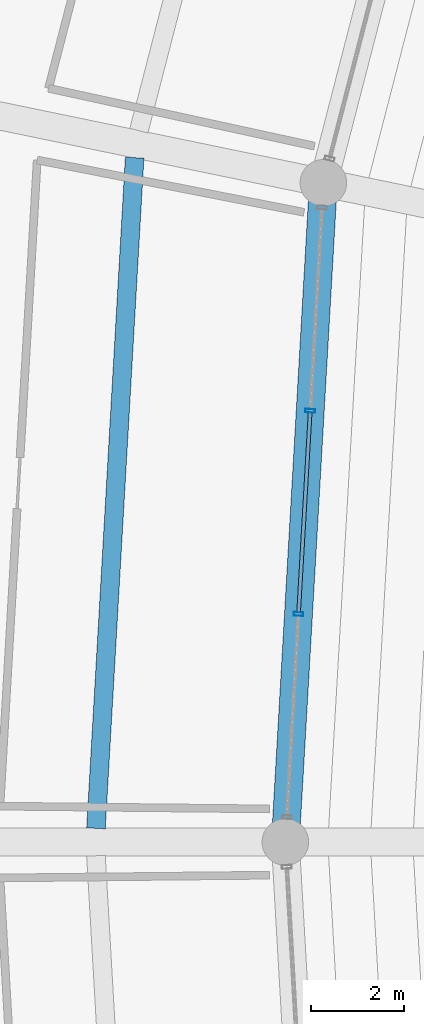
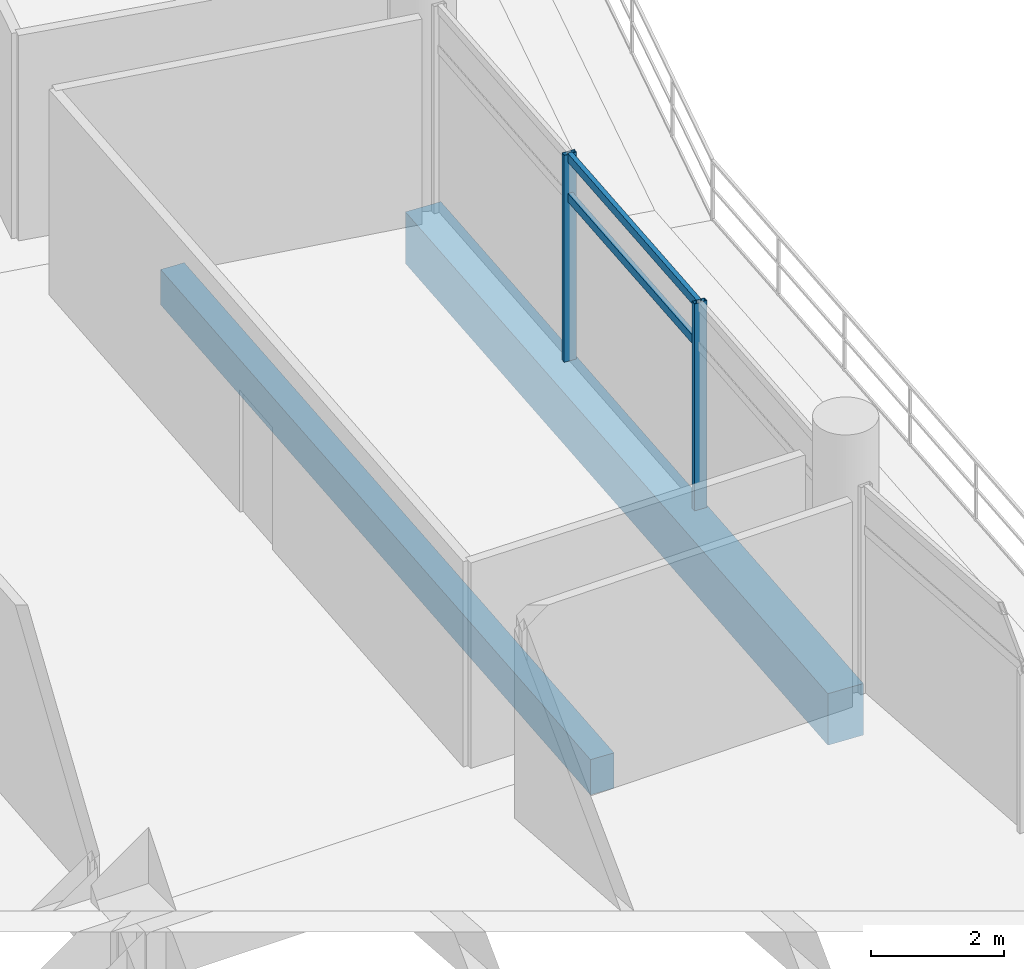
# One storey, part 38 of 171: 4 members, 2 beams, 1 element without a shape of its own.
"""IFC4 building model written with IfcOpenShell, lengths in metres."""

from ifc_helpers import new_model, si_unit, direction, frame, origin, origin_2d, place, context, subcontext, project, spatial, rectangle, hollow_rectangle, extrude, material, layer, layer_set, material_profile, profile_set, type_object, element, aggregate, save


model = new_model("IFC4")

# Units and contexts
model_context = context("Model", 3, precision=1e-05, world=origin(), true_north=direction((0.0, 1.0)))
body_context = subcontext(model_context, "Body", "Model", "MODEL_VIEW")
ifc_project = project(units=[si_unit("LENGTHUNIT", "METRE"), si_unit("AREAUNIT", "SQUARE_METRE"), si_unit("VOLUMEUNIT", "CUBIC_METRE"), si_unit("PLANEANGLEUNIT", "RADIAN"), si_unit("MASSUNIT", "GRAM", prefix="KILO")], contexts=[model_context])

# Site, building, storey
site_placement = place(None, origin())
site = spatial("IfcSite", under=ifc_project, at=site_placement, CompositionType="ELEMENT")
building_placement = place(site_placement, origin())
building = spatial("IfcBuilding", under=site, at=building_placement, Name="Kazemori Nagisa Stadium", CompositionType="ELEMENT")
storey_placement = place(building_placement, frame((0.0, 0.0, 15.639892578125)))
storey = spatial("IfcBuildingStorey", under=building, at=storey_placement, Name="L03", CompositionType="ELEMENT", Elevation=15.639892578125)

# Beams
ifc_material_1 = material(Name="Concrete C40/50 (Fc42)", Category="concrete")
ifc_material_profile_1 = material_profile(ifc_material_1, rectangle(XDim=0.60009765625, YDim=0.949951171875, at=origin_2d()), Name="RC-BM-600x950")
ifc_profile_set_1 = profile_set([ifc_material_profile_1], Name="Concrete C40/50 (Fc42)")
beam_type_1 = type_object("IfcBeamType", Name="Beam_BG-RC600X950", PredefinedType="BEAM", material=ifc_profile_set_1)
beam_1_placement = place(storey_placement, frame((54.467041015625, 116.160400390625, -0.73486328125), z_axis=(-0.057610061423, -0.998339161219, 0.0), x_axis=(0.998339161219, -0.057610061423, 0.0)))
element("IfcBeam", 1, at=beam_1_placement, inside=storey, type_object=beam_type_1, Name="Ring girder BG-RC600X950 L03 R1-14", PredefinedType="BEAM", context=body_context, shape_type="SweptSolid", body=[
    extrude(rectangle(XDim=0.60009765625, YDim=0.949951171875, at=origin_2d()), origin(), (0.0, 0.0, 1.0), 14.183837890625),
])
ifc_material_profile_2 = material_profile(ifc_material_1, rectangle(XDim=0.39990234375, YDim=0.64990234375, at=origin_2d()), Name="RC-BM-400x650")
ifc_profile_set_2 = profile_set([ifc_material_profile_2], Name="Concrete C40/50 (Fc42)")
beam_type_2 = type_object("IfcBeamType", Name="Beam_BJ-RC400X650", PredefinedType="JOIST", material=ifc_profile_set_2)
beam_2_placement = place(storey_placement, frame((50.4130859375, 116.699951171875, -0.5849609375), z_axis=(-0.057594265016, -0.998340072639, 0.0), x_axis=(0.998340072639, -0.057594265016, 0.0)))
element("IfcBeam", 2, at=beam_2_placement, inside=storey, type_object=beam_type_2, Name="Concourse joist BJ-RC400X650 L03 B14-1", PredefinedType="JOIST", context=body_context, shape_type="SweptSolid", body=[
    extrude(rectangle(XDim=0.39990234375, YDim=0.64990234375, at=origin_2d()), origin(), (0.0, 0.0, 1.0), 14.429443359375),
])

# Curtain wall, members
ifc_material_2 = material(Name="Anodised aluminium 6063-T5", Category="aluminium")
ifc_layer = layer(ifc_material_2, 0.2099609375, Name="Anodised aluminium 6063-T5", Category="aluminium")
ifc_layer_set = layer_set([ifc_layer], Name="Anodised aluminium 6063-T5")
curtain_wall_type = type_object("IfcCurtainWallType", Name="CW_L03B_66", PredefinedType="USERDEFINED", material=ifc_layer_set)
curtain_wall_placement = place(storey_placement, origin())
curtain_wall = element("IfcCurtainWall", 3, at=curtain_wall_placement, inside=storey, type_object=curtain_wall_type, Name="Unitised curtain wall CW-L03B-66 L03", ObjectType="UNITISED CURTAIN WALL", PredefinedType="USERDEFINED")
ifc_material_3 = material(Name="Aluminium 6063-T5 anodised", Category="aluminium")
ifc_material_profile_3 = material_profile(ifc_material_3, hollow_rectangle(XDim=0.080078125, YDim=0.2099609375, WallThickness=0.0048828125, at=origin_2d()), Name="ALU-MULL-80x210x5")
ifc_profile_set_3 = profile_set([ifc_material_profile_3], Name="Aluminium 6063-T5 anodised")
member_type_1 = type_object("IfcMemberType", Name="Mullion_M02", PredefinedType="MULLION", material=ifc_profile_set_3)
member_1_placement = place(storey_placement, frame((54.184326171875, 111.26220703125, 0.0), z_axis=(0.0, 0.0, 1.0), x_axis=(-0.057601670941, -0.998339645364, 0.0)))
member_1 = element("IfcMember", 4, at=member_1_placement, type_object=member_type_1, Name="Curtain wall mullion CW-L03B-66-M2", PredefinedType="MULLION", context=body_context, shape_type="SweptSolid", body=[
    extrude(hollow_rectangle(XDim=0.080078125, YDim=0.2099609375, WallThickness=0.0048828125, at=origin_2d()), origin(), (0.0, 0.0, 1.0), 3.81005859375),
])
member_2_placement = place(storey_placement, frame((53.9326171875, 106.898193359375, 0.0), z_axis=(0.0, 0.0, 1.0), x_axis=(-0.057601670941, -0.998339645364, 0.0)))
member_2 = element("IfcMember", 5, at=member_2_placement, type_object=member_type_1, Name="Curtain wall mullion CW-L03B-66-M3", PredefinedType="MULLION", context=body_context, shape_type="SweptSolid", body=[
    extrude(hollow_rectangle(XDim=0.080078125, YDim=0.2099609375, WallThickness=0.0048828125, at=origin_2d()), origin(), (0.0, 0.0, 1.0), 3.81005859375),
])
ifc_material_profile_4 = material_profile(ifc_material_3, hollow_rectangle(XDim=0.080078125, YDim=0.159912109375, WallThickness=0.00390625, at=origin_2d()), Name="ALU-TRAN-80x160x4")
ifc_profile_set_4 = profile_set([ifc_material_profile_4], Name="Aluminium 6063-T5 anodised")
member_type_2 = type_object("IfcMemberType", Name="Transom_T02", PredefinedType="USERDEFINED", material=ifc_profile_set_4)
member_3_placement = place(storey_placement, frame((54.183349609375, 111.2421875, 3.010009765625), z_axis=(-0.057608419603, -0.99833925596, 0.0), x_axis=(0.99833925596, -0.057608419603, 0.0)))
member_3 = element("IfcMember", 6, at=member_3_placement, type_object=member_type_2, Name="Curtain wall transom CW-L03B-66-T2-mid", ObjectType="TRANSOM", PredefinedType="USERDEFINED", context=body_context, shape_type="SweptSolid", body=[
    extrude(hollow_rectangle(XDim=0.080078125, YDim=0.159912109375, WallThickness=0.00390625, at=origin_2d()), origin(), (0.0, 0.0, 1.0), 4.3310546875),
])
member_4_placement = place(storey_placement, frame((54.183349609375, 111.2421875, 3.739990234375), z_axis=(-0.057608419603, -0.99833925596, 0.0), x_axis=(0.99833925596, -0.057608419603, 0.0)))
member_4 = element("IfcMember", 7, at=member_4_placement, type_object=member_type_2, Name="Curtain wall transom CW-L03B-66-T2-head", ObjectType="TRANSOM", PredefinedType="USERDEFINED", context=body_context, shape_type="SweptSolid", body=[
    extrude(hollow_rectangle(XDim=0.080078125, YDim=0.159912109375, WallThickness=0.00390625, at=origin_2d()), origin(), (0.0, 0.0, 1.0), 4.3310546875),
])
aggregate(curtain_wall, [member_1, member_2, member_3, member_4])

save(model, "model.ifc")
